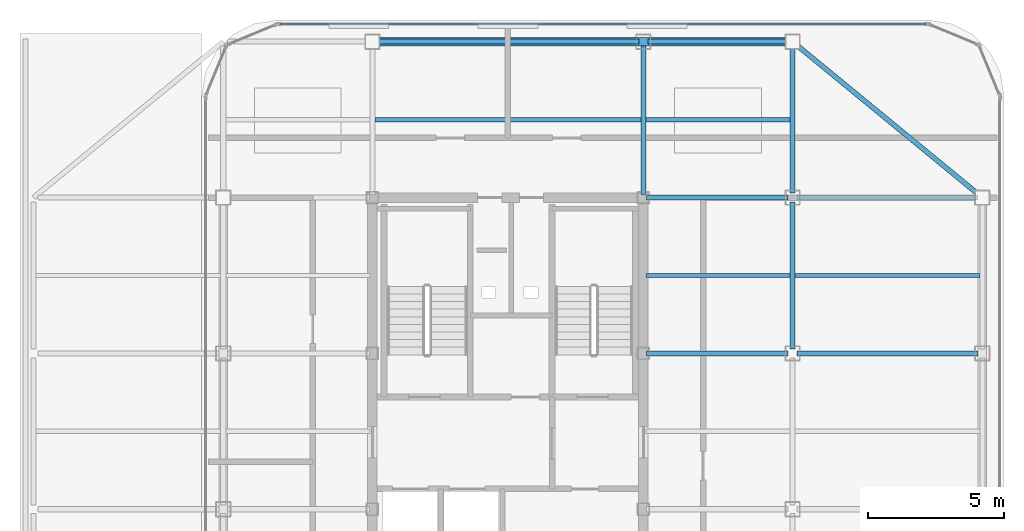
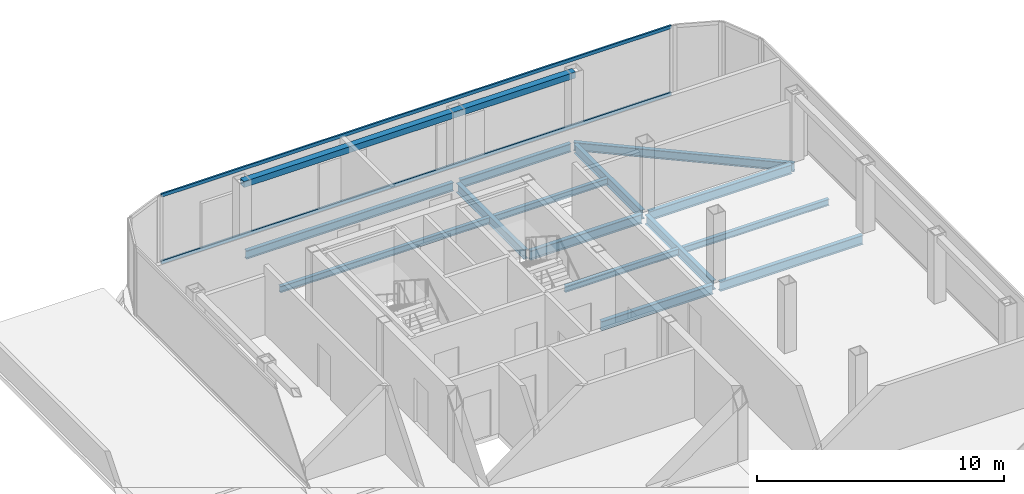
# One storey, part 5 of 11: 14 beams, 3 members, 1 element without a shape of its own.
"""IFC4 building model written with IfcOpenShell, lengths in metres."""

from ifc_helpers import new_model, si_unit, direction, frame, origin, origin_2d, place, context, subcontext, project, spatial, hollow_rectangle, i_section, extrude, source, transform, mapped, material, layer, layer_set, material_profile, profile_set, type_object, element, aggregate, save


model = new_model("IFC4")

# Units and contexts
model_context = context("Model", 3, precision=1e-05, world=origin(), true_north=direction((0.0, 1.0)))
body_context = subcontext(model_context, "Body", "Model", "MODEL_VIEW")
ifc_project = project(units=[si_unit("LENGTHUNIT", "METRE"), si_unit("AREAUNIT", "SQUARE_METRE"), si_unit("VOLUMEUNIT", "CUBIC_METRE"), si_unit("PLANEANGLEUNIT", "RADIAN"), si_unit("MASSUNIT", "GRAM", prefix="KILO")], contexts=[model_context])

# Site, building, storey
site_placement = place(None, origin())
site = spatial("IfcSite", under=ifc_project, at=site_placement, CompositionType="ELEMENT")
building_placement = place(site_placement, origin())
building = spatial("IfcBuilding", under=site, at=building_placement, Name="Kolveth Station Tower", CompositionType="ELEMENT")
storey_placement = place(building_placement, frame((0.0, 0.0, 278.5)))
storey = spatial("IfcBuildingStorey", under=building, at=storey_placement, Name="L80", CompositionType="ELEMENT", Elevation=278.5)

# Beams
ifc_material_1 = material(Name="Steel S355", Category="steel")
ifc_material_profile_1 = material_profile(ifc_material_1, i_section(OverallWidth=0.180908203125, OverallDepth=0.4169921875, WebThickness=0.010986328125, FlangeThickness=0.018310546875, at=origin_2d()), Name="W410x85")
ifc_profile_set_1 = profile_set([ifc_material_profile_1], Name="Steel S355")
beam_type_1 = type_object("IfcBeamType", Name="Beam_B8", PredefinedType="BEAM", material=ifc_profile_set_1)
shared_shape_1 = source(origin(), body_context, "Body", "SweptSolid", [
    extrude(i_section(OverallWidth=0.180908203125, OverallDepth=0.4169921875, WebThickness=0.010986328125, FlangeThickness=0.018310546875, at=origin_2d()), origin(), (0.0, 0.0, 1.0), 5.18017578125),
])
beam_1_placement = place(storey_placement, frame((28.659912109375, 34.5, -0.428466796875), z_axis=(1.0, 0.0, 0.0), x_axis=(0.0, 1.0, 0.0)))
element("IfcBeam", 1, at=beam_1_placement, inside=storey, type_object=beam_type_1, Name="L80 Perimeter Spandrel BM-L80-PN-3", PredefinedType="BEAM", context=body_context, shape_type="MappedRepresentation", body=[
    mapped(shared_shape_1, transform((0.0, 0.0, 0.0), x_axis=(1.0, 0.0, 0.0), y_axis=(0.0, 1.0, 0.0), z_axis=(0.0, 0.0, 1.0), scale=1.0)),
])
shared_shape_2 = source(origin(), body_context, "Body", "SweptSolid", [
    extrude(i_section(OverallWidth=0.180908203125, OverallDepth=0.4169921875, WebThickness=0.010986328125, FlangeThickness=0.018310546875, at=origin_2d()), origin(), (0.0, 0.0, 1.0), 9.68017578125),
])
beam_2_placement = place(storey_placement, frame((18.659912109375, 34.5, -0.428466796875), z_axis=(1.0, 0.0, 0.0), x_axis=(0.0, 1.0, 0.0)))
element("IfcBeam", 2, at=beam_2_placement, inside=storey, type_object=beam_type_1, Name="L80 Perimeter Spandrel BM-L80-PN-2", PredefinedType="BEAM", context=body_context, shape_type="MappedRepresentation", body=[
    mapped(shared_shape_2, transform((0.0, 0.0, 0.0), x_axis=(1.0, 0.0, 0.0), y_axis=(0.0, 1.0, 0.0), z_axis=(0.0, 0.0, 1.0), scale=1.0)),
])
shared_shape_3 = source(origin(), body_context, "Body", "SweptSolid", [
    extrude(i_section(OverallWidth=0.180908203125, OverallDepth=0.4169921875, WebThickness=0.010986328125, FlangeThickness=0.018310546875, at=origin_2d()), origin(), (0.0, 0.0, 1.0), 9.058837890625),
])
beam_3_placement = place(storey_placement, frame((41.0, 28.75, -0.428466796875), z_axis=(-0.772726254525, 0.63473942336, 0.0), x_axis=(-0.63473942336, -0.772726254525, 0.0)))
element("IfcBeam", 3, at=beam_3_placement, inside=storey, type_object=beam_type_1, Name="L80 Corner Edge Girder BM-L80-CNR-NE", PredefinedType="BEAM", context=body_context, shape_type="MappedRepresentation", body=[
    mapped(shared_shape_3, transform((0.0, 0.0, 0.0), x_axis=(1.0, 0.0, 0.0), y_axis=(0.0, 1.0, 0.0), z_axis=(0.0, 0.0, 1.0), scale=1.0)),
])
ifc_material_profile_2 = material_profile(ifc_material_1, i_section(OverallWidth=0.19091796875, OverallDepth=0.4599609375, WebThickness=0.010009765625, FlangeThickness=0.01611328125, at=origin_2d()), Name="W460x82")
ifc_profile_set_2 = profile_set([ifc_material_profile_2], Name="Steel S355")
beam_type_2 = type_object("IfcBeamType", Name="Beam_B7", PredefinedType="BEAM", material=ifc_profile_set_2)
shared_shape_4 = source(origin(), body_context, "Body", "SweptSolid", [
    extrude(i_section(OverallWidth=0.19091796875, OverallDepth=0.4599609375, WebThickness=0.010009765625, FlangeThickness=0.01611328125, at=origin_2d()), origin(), (0.0, 0.0, 1.0), 6.68017578125),
])
for number, where, z_axis, x_axis, name in (
    (4, (34.159912109375, 23.0, -0.449951171875), (1.0, 0.0, 0.0), (0.0, 1.0, 0.0), "L80 Primary Girder BM-L80-GY230-5"),
    (5, (34.159912109375, 28.75, -0.449951171875), (1.0, 0.0, 0.0), (0.0, 1.0, 0.0), "L80 Primary Girder BM-L80-GY287-5"),
):
    element("IfcBeam", number, at=place(storey_placement, frame(where, z_axis=z_axis, x_axis=x_axis)), inside=storey, type_object=beam_type_2, Name=name, PredefinedType="BEAM", context=body_context, shape_type="MappedRepresentation", body=[
        mapped(shared_shape_4, transform((0.0, 0.0, 0.0), x_axis=(1.0, 0.0, 0.0), y_axis=(0.0, 1.0, 0.0), z_axis=(0.0, 0.0, 1.0), scale=1.0)),
    ])
shared_shape_5 = source(origin(), body_context, "Body", "SweptSolid", [
    extrude(i_section(OverallWidth=0.19091796875, OverallDepth=0.4599609375, WebThickness=0.010009765625, FlangeThickness=0.01611328125, at=origin_2d()), origin(), (0.0, 0.0, 1.0), 5.22998046875),
])
for number, where, z_axis, x_axis, name in (
    (6, (28.610107421875, 23.0, -0.449951171875), (1.0, 0.0, 0.0), (0.0, 1.0, 0.0), "L80 Primary Girder BM-L80-GY230-4"),
    (7, (28.610107421875, 28.75, -0.449951171875), (1.0, 0.0, 0.0), (0.0, 1.0, 0.0), "L80 Primary Girder BM-L80-GY287-4"),
):
    element("IfcBeam", number, at=place(storey_placement, frame(where, z_axis=z_axis, x_axis=x_axis)), inside=storey, type_object=beam_type_2, Name=name, PredefinedType="BEAM", context=body_context, shape_type="MappedRepresentation", body=[
        mapped(shared_shape_5, transform((0.0, 0.0, 0.0), x_axis=(1.0, 0.0, 0.0), y_axis=(0.0, 1.0, 0.0), z_axis=(0.0, 0.0, 1.0), scale=1.0)),
    ])
shared_shape_6 = source(origin(), body_context, "Body", "SweptSolid", [
    extrude(i_section(OverallWidth=0.19091796875, OverallDepth=0.4599609375, WebThickness=0.010009765625, FlangeThickness=0.01611328125, at=origin_2d()), origin(), (0.0, 0.0, 1.0), 5.43017578125),
])
for number, where, z_axis, x_axis, name in (
    (8, (34.0, 23.159912109375, -0.449951171875), (0.0, 1.0, 0.0), (-1.0, 0.0, 0.0), "L80 Primary Girder BM-L80-GX340-4"),
    (9, (34.0, 28.909912109375, -0.449951171875), (0.0, 1.0, 0.0), (-1.0, 0.0, 0.0), "L80 Primary Girder BM-L80-GX340-5"),
):
    element("IfcBeam", number, at=place(storey_placement, frame(where, z_axis=z_axis, x_axis=x_axis)), inside=storey, type_object=beam_type_2, Name=name, PredefinedType="BEAM", context=body_context, shape_type="MappedRepresentation", body=[
        mapped(shared_shape_6, transform((0.0, 0.0, 0.0), x_axis=(1.0, 0.0, 0.0), y_axis=(0.0, 1.0, 0.0), z_axis=(0.0, 0.0, 1.0), scale=1.0)),
    ])
shared_shape_7 = source(origin(), body_context, "Body", "SweptSolid", [
    extrude(i_section(OverallWidth=0.19091796875, OverallDepth=0.4599609375, WebThickness=0.010009765625, FlangeThickness=0.01611328125, at=origin_2d()), origin(), (0.0, 0.0, 1.0), 5.47998046875),
])
beam_4_placement = place(storey_placement, frame((28.5, 28.860107421875, -0.449951171875), z_axis=(0.0, 1.0, 0.0), x_axis=(-1.0, 0.0, 0.0)))
element("IfcBeam", 10, at=beam_4_placement, inside=storey, type_object=beam_type_2, Name="L80 Primary Girder BM-L80-GX285-5", PredefinedType="BEAM", context=body_context, shape_type="MappedRepresentation", body=[
    mapped(shared_shape_7, transform((0.0, 0.0, 0.0), x_axis=(1.0, 0.0, 0.0), y_axis=(0.0, 1.0, 0.0), z_axis=(0.0, 0.0, 1.0), scale=1.0)),
])
ifc_material_profile_3 = material_profile(ifc_material_1, i_section(OverallWidth=0.1650390625, OverallDepth=0.31005859375, WebThickness=0.005859375, FlangeThickness=0.009765625, at=origin_2d()), Name="W310x39")
ifc_profile_set_3 = profile_set([ifc_material_profile_3], Name="Steel S355")
beam_type_3 = type_object("IfcBeamType", Name="Beam_J3", PredefinedType="JOIST", material=ifc_profile_set_3)
shared_shape_8 = source(origin(), body_context, "Body", "SweptSolid", [
    extrude(i_section(OverallWidth=0.1650390625, OverallDepth=0.31005859375, WebThickness=0.005859375, FlangeThickness=0.009765625, at=origin_2d()), origin(), (0.0, 0.0, 1.0), 6.818115234375),
])
beam_5_placement = place(storey_placement, frame((34.093505859375, 25.875, -0.375), z_axis=(1.0, 0.0, 0.0), x_axis=(0.0, 1.0, 0.0)))
element("IfcBeam", 11, at=beam_5_placement, inside=storey, type_object=beam_type_3, Name="L80 Secondary Joist JST-L80-5-4", PredefinedType="JOIST", context=body_context, shape_type="MappedRepresentation", body=[
    mapped(shared_shape_8, transform((0.0, 0.0, 0.0), x_axis=(1.0, 0.0, 0.0), y_axis=(0.0, 1.0, 0.0), z_axis=(0.0, 0.0, 1.0), scale=1.0)),
])
shared_shape_9 = source(origin(), body_context, "Body", "SweptSolid", [
    extrude(i_section(OverallWidth=0.1650390625, OverallDepth=0.31005859375, WebThickness=0.005859375, FlangeThickness=0.009765625, at=origin_2d()), origin(), (0.0, 0.0, 1.0), 5.31298828125),
])
for number, where, z_axis, x_axis, name in (
    (12, (28.593505859375, 25.875, -0.375), (1.0, 0.0, 0.0), (0.0, 1.0, 0.0), "L80 Secondary Joist JST-L80-4-4"),
    (13, (28.593505859375, 31.625, -0.375), (1.0, 0.0, 0.0), (0.0, 1.0, 0.0), "L80 Secondary Joist JST-L80-4-5"),
):
    element("IfcBeam", number, at=place(storey_placement, frame(where, z_axis=z_axis, x_axis=x_axis)), inside=storey, type_object=beam_type_3, Name=name, PredefinedType="JOIST", context=body_context, shape_type="MappedRepresentation", body=[
        mapped(shared_shape_9, transform((0.0, 0.0, 0.0), x_axis=(1.0, 0.0, 0.0), y_axis=(0.0, 1.0, 0.0), z_axis=(0.0, 0.0, 1.0), scale=1.0)),
    ])
shared_shape_10 = source(origin(), body_context, "Body", "SweptSolid", [
    extrude(i_section(OverallWidth=0.1650390625, OverallDepth=0.31005859375, WebThickness=0.005859375, FlangeThickness=0.009765625, at=origin_2d()), origin(), (0.0, 0.0, 1.0), 9.81298828125),
])
beam_6_placement = place(storey_placement, frame((18.593505859375, 31.625, -0.375), z_axis=(1.0, 0.0, 0.0), x_axis=(0.0, 1.0, 0.0)))
element("IfcBeam", 14, at=beam_6_placement, inside=storey, type_object=beam_type_3, Name="L80 Secondary Joist JST-L80-3-5", PredefinedType="JOIST", context=body_context, shape_type="MappedRepresentation", body=[
    mapped(shared_shape_10, transform((0.0, 0.0, 0.0), x_axis=(1.0, 0.0, 0.0), y_axis=(0.0, 1.0, 0.0), z_axis=(0.0, 0.0, 1.0), scale=1.0)),
])

# Member
ifc_material_profile_4 = material_profile(ifc_material_1, hollow_rectangle(XDim=0.300048828125, YDim=0.300048828125, WallThickness=0.01611328125, at=origin_2d()), Name="CROWN-HSS300x300x16")
ifc_profile_set_4 = profile_set([ifc_material_profile_4], Name="Steel S355")
member_type_1 = type_object("IfcMemberType", Name="Mem_CF1", PredefinedType="CHORD", material=ifc_profile_set_4)
shared_shape_11 = source(origin(), body_context, "Body", "SweptSolid", [
    extrude(hollow_rectangle(XDim=0.300048828125, YDim=0.300048828125, WallThickness=0.01611328125, at=origin_2d()), origin(), (0.0, 0.0, 1.0), 15.5),
])
member_1_placement = place(storey_placement, frame((18.5, 34.5, 3.14990234375), z_axis=(1.0, 0.0, 0.0), x_axis=(0.0, 1.0, 0.0)))
element("IfcMember", 15, at=member_1_placement, inside=storey, type_object=member_type_1, Name="L80 Crown Frame Ring Chord 2", PredefinedType="CHORD", context=body_context, shape_type="MappedRepresentation", body=[
    mapped(shared_shape_11, transform((0.0, 0.0, 0.0), x_axis=(1.0, 0.0, 0.0), y_axis=(0.0, 1.0, 0.0), z_axis=(0.0, 0.0, 1.0), scale=1.0)),
])

# Curtain wall, members
ifc_material_2 = material(Name="Black anodized aluminium 6063-T6 and dark crown glass", Category="aluminium")
ifc_layer = layer(ifc_material_2, 0.169921875)
ifc_layer_set = layer_set([ifc_layer], Name="Black anodized aluminium 6063-T6 and dark crown glass")
curtain_wall_type = type_object("IfcCurtainWallType", Name="CurtainWall_CW-CR", PredefinedType="NOTDEFINED", material=ifc_layer_set)
curtain_wall_placement = place(storey_placement, origin())
curtain_wall = element("IfcCurtainWall", 16, at=curtain_wall_placement, inside=storey, type_object=curtain_wall_type, Name="L80 Stepped Crown Curtain Wall 6", PredefinedType="NOTDEFINED")
ifc_material_3 = material(Name="Black anodized aluminium 6063-T6", Category="aluminium")
ifc_material_profile_5 = material_profile(ifc_material_3, hollow_rectangle(XDim=0.080078125, YDim=0.1650390625, WallThickness=0.0048828125, at=origin_2d()), Name="ALU-80x165x5")
ifc_profile_set_5 = profile_set([ifc_material_profile_5], Name="Black anodized aluminium 6063-T6")
member_type_2 = type_object("IfcMemberType", Name="Transom_TR-CR", PredefinedType="USERDEFINED", material=ifc_profile_set_5)
shared_shape_12 = source(origin(), body_context, "Body", "SweptSolid", [
    extrude(hollow_rectangle(XDim=0.080078125, YDim=0.1650390625, WallThickness=0.0048828125, at=origin_2d()), origin(), (0.0, 0.0, 1.0), 23.830078125),
])
member_2_placement = place(storey_placement, frame((38.9150390625, 35.14990234375, 0.0400390625), z_axis=(-1.0, 0.0, 0.0), x_axis=(0.0, -1.0, 0.0)))
member_2 = element("IfcMember", 17, at=member_2_placement, type_object=member_type_2, Name="CW-CR transom 1.1", ObjectType="TRANSOM", PredefinedType="USERDEFINED", context=body_context, shape_type="MappedRepresentation", body=[
    mapped(shared_shape_12, transform((0.0, 0.0, 0.0), x_axis=(1.0, 0.0, 0.0), y_axis=(0.0, 1.0, 0.0), z_axis=(0.0, 0.0, 1.0), scale=1.0)),
])
member_3_placement = place(storey_placement, frame((38.9150390625, 35.14990234375, 3.340087890625), z_axis=(-1.0, 0.0, 0.0), x_axis=(0.0, -1.0, 0.0)))
member_3 = element("IfcMember", 18, at=member_3_placement, type_object=member_type_2, Name="CW-CR transom 1.2", ObjectType="TRANSOM", PredefinedType="USERDEFINED", context=body_context, shape_type="MappedRepresentation", body=[
    mapped(shared_shape_12, transform((0.0, 0.0, 0.0), x_axis=(1.0, 0.0, 0.0), y_axis=(0.0, 1.0, 0.0), z_axis=(0.0, 0.0, 1.0), scale=1.0)),
])
aggregate(curtain_wall, [member_2, member_3])

save(model, "model.ifc")
